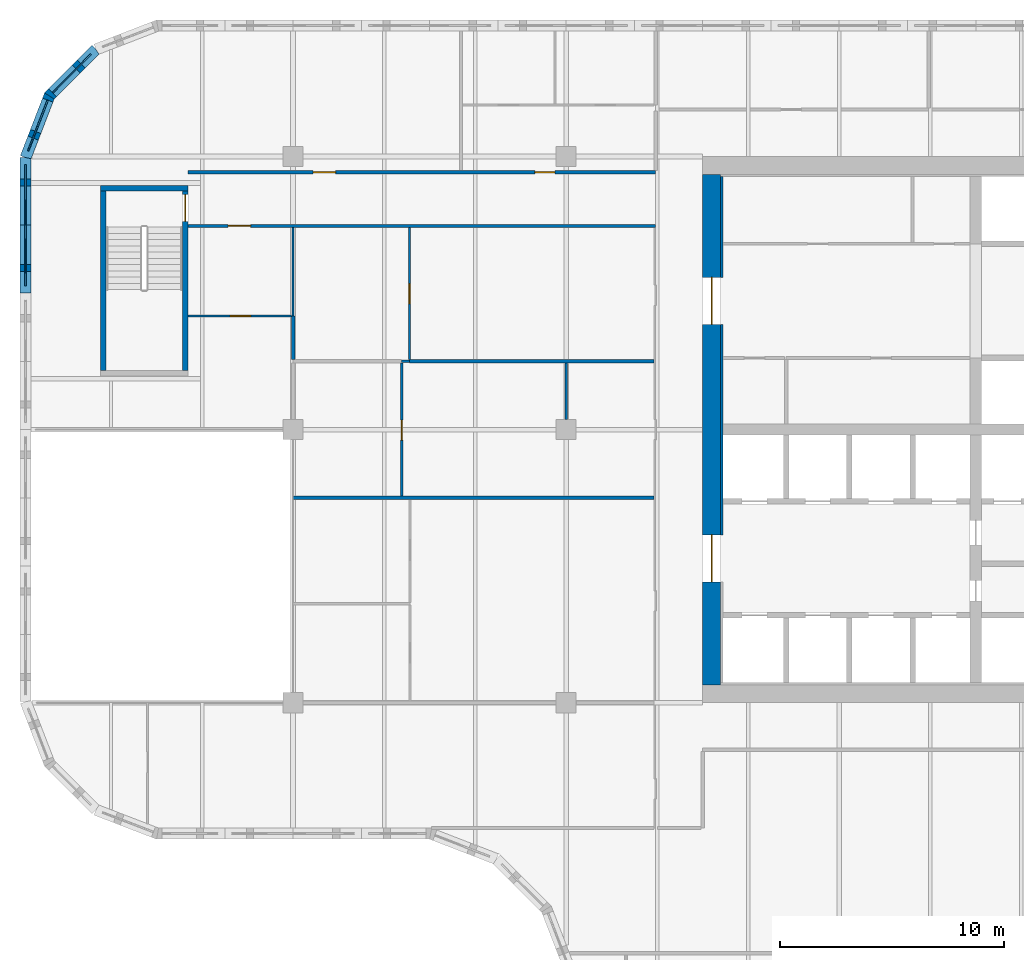
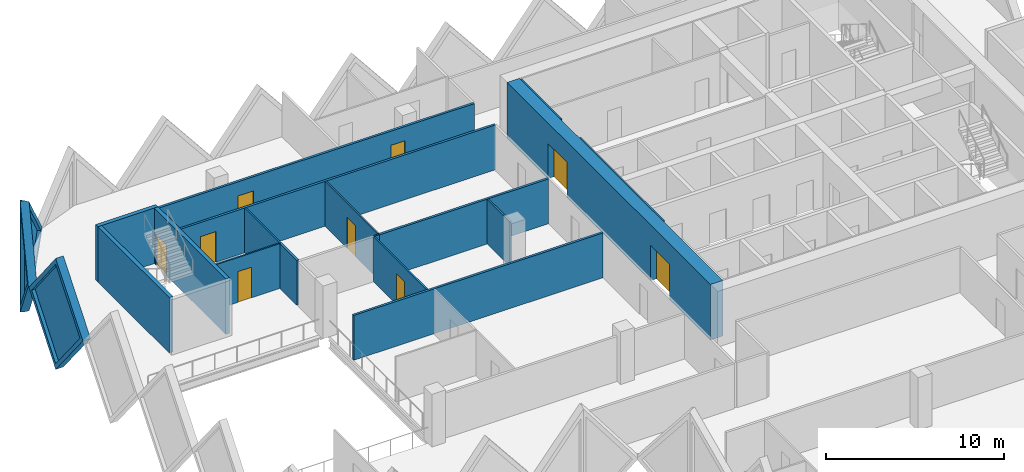
# One storey, part 8 of 19: 20 walls, 9 doors, 3 plates, 12 openings.
"""IFC4 building model written with IfcOpenShell, lengths in metres."""

from ifc_helpers import new_model, si_unit, direction, frame, frame_2d, origin, place, context, subcontext, project, spatial, polyline, rectangle, outline, extrude, faceted_brep, source, transform, mapped, material, layer, layer_set, type_object, element, fill, save


model = new_model("IFC4")

# Units and contexts
model_context = context("Model", 3, precision=1e-05, world=origin(), true_north=direction((0.0, 1.0)))
body_context = subcontext(model_context, "Body", "Model", "MODEL_VIEW")
ifc_project = project(units=[si_unit("LENGTHUNIT", "METRE"), si_unit("AREAUNIT", "SQUARE_METRE"), si_unit("VOLUMEUNIT", "CUBIC_METRE"), si_unit("PLANEANGLEUNIT", "RADIAN"), si_unit("MASSUNIT", "GRAM", prefix="KILO")], contexts=[model_context])

# Site, building, storey
site_placement = place(None, origin())
site = spatial("IfcSite", under=ifc_project, at=site_placement, CompositionType="ELEMENT")
building_placement = place(site_placement, origin())
building = spatial("IfcBuilding", under=site, at=building_placement, Name="Tessera Gate Towers", CompositionType="ELEMENT")
storey_placement = place(building_placement, frame((0.0, 0.0, 76.199951171875)))
storey = spatial("IfcBuildingStorey", under=building, at=storey_placement, Name="L18", CompositionType="ELEMENT", Elevation=76.199951171875)

# Walls
ifc_material_1 = material(Name="Concrete C40/50", Category="concrete")
ifc_layer_1 = layer(ifc_material_1, 0.25)
ifc_layer_set_1 = layer_set([ifc_layer_1], Name="CORE ENCLOSURE WALL 250")
wall_type_1 = type_object("IfcWallType", Name="CORE ENCLOSURE WALL 250", PredefinedType="SOLIDWALL", material=ifc_layer_set_1)
wall_1_placement = place(storey_placement, frame((3.72509765625, 39.25, 0.0), z_axis=(0.0, 0.0, 1.0), x_axis=(0.0, 1.0, 0.0)))
element("IfcWall", 1, at=wall_1_placement, inside=storey, type_object=wall_type_1, Name="L18 ST3 enclosure wall", PredefinedType="SOLIDWALL", context=body_context, shape_type="SweptSolid", body=[
    extrude(rectangle(XDim=8.0, YDim=0.25, at=frame_2d((4.0, 0.0))), origin(), (0.0, 0.0, 1.0), 3.800048828125),
])
wall_2_placement = place(storey_placement, frame((3.60009765625, 47.375, 0.0), z_axis=(0.0, 0.0, 1.0), x_axis=(1.0, 0.0, 0.0)))
element("IfcWall", 2, at=wall_2_placement, inside=storey, type_object=wall_type_1, Name="L18 ST3 enclosure wall", PredefinedType="SOLIDWALL", context=body_context, shape_type="SweptSolid", body=[
    extrude(rectangle(XDim=3.89990234375, YDim=0.25, at=frame_2d((1.949951171875, 0.0))), origin(), (0.0, 0.0, 1.0), 3.800048828125),
])

# Wall, opening, door
wall_3_placement = place(storey_placement, frame((7.375, 47.25, 0.0), z_axis=(0.0, 0.0, 1.0), x_axis=(0.0, -1.0, 0.0)))
wall_3 = element("IfcWall", 3, at=wall_3_placement, inside=storey, type_object=wall_type_1, Name="L18 ST3 enclosure wall", PredefinedType="SOLIDWALL", context=body_context, shape_type="SweptSolid", body=[
    extrude(rectangle(XDim=8.0, YDim=0.25, at=frame_2d((4.0, 0.0))), origin(), (0.0, 0.0, 1.0), 3.800048828125),
])
shared_shape_1 = source(origin(), body_context, "Body", "SweptSolid", [
    extrude(rectangle(XDim=1.199951171875, YDim=2.10009765625, at=frame_2d((0.60009765625, 1.050048828125))), frame((0.0, 0.135009765625, 0.0), z_axis=(0.0, -1.0, 0.0), x_axis=(1.0, 0.0, 0.0)), (0.0, 0.0, 1.0), 0.27001953125),
])
opening_1_placement = place(wall_3_placement, frame((0.14990234375, 0.0, 0.0)))
opening_1 = element("IfcOpeningElement", 4, at=opening_1_placement, cuts=wall_3, Name="Opening SD-ST3-1", PredefinedType="OPENING", context=body_context, shape_type="MappedRepresentation", body=[
    mapped(shared_shape_1, transform((0.0, 0.0, 0.0), scale=1.0)),
])
ifc_material_2 = material(Name="Hollow steel fire door", Category="steel")
door_type_1 = type_object("IfcDoorType", Name="CORE DOOR SD 1200x2100", OperationType="NOTDEFINED", PredefinedType="DOOR", material=ifc_material_2)
shared_shape_2 = source(origin(), body_context, "Body", "SweptSolid", [
    extrude(rectangle(XDim=1.199951171875, YDim=2.10009765625, at=frame_2d((0.60009765625, 1.050048828125))), frame((0.0, 0.02490234375, 0.0), z_axis=(0.0, -1.0, 0.0), x_axis=(1.0, 0.0, 0.0)), (0.0, 0.0, 1.0), 0.050048828125),
])
door_1_placement = place(opening_1_placement, origin())
door_1 = element("IfcDoor", 5, at=door_1_placement, inside=storey, type_object=door_type_1, Name="Stair door", OperationType="SINGLE_SWING_LEFT", OverallHeight=2.10009765625, OverallWidth=1.199951171875, PredefinedType="DOOR", context=body_context, shape_type="MappedRepresentation", body=[
    mapped(shared_shape_2, transform((0.0, 0.0, 0.0), scale=1.0)),
])
fill(opening_1, door_1)

# Wall, openings, doors
ifc_material_3 = material(Name="Concrete C60/75", Category="concrete")
ifc_layer_2 = layer(ifc_material_3, 0.800048828125)
ifc_layer_set_2 = layer_set([ifc_layer_2], Name="CORE SHEAR WALL 800 C60/75")
wall_type_2 = type_object("IfcWallType", Name="CORE SHEAR WALL 800 C60/75", PredefinedType="SHEAR", material=ifc_layer_set_2)
wall_4_placement = place(storey_placement, frame((30.89990234375, 25.199951171875, 0.0), z_axis=(0.0, 0.0, 1.0), x_axis=(0.0, 1.0, 0.0)))
wall_4 = element("IfcWall", 6, at=wall_4_placement, inside=storey, type_object=wall_type_2, Name="Core wall W L18", PredefinedType="SHEAR", context=body_context, shape_type="SweptSolid", body=[
    extrude(rectangle(XDim=22.800048828125, YDim=0.800048828125, at=frame_2d((11.39990234375, 0.0))), origin(), (0.0, 0.0, 1.0), 3.800048828125),
])
shared_shape_3 = source(origin(), body_context, "Body", "SweptSolid", [
    extrude(rectangle(XDim=2.10009765625, YDim=2.39990234375, at=frame_2d((1.050048828125, 1.199951171875))), frame((0.0, 0.409912109375, 0.0), z_axis=(0.0, -1.0, 0.0), x_axis=(1.0, 0.0, 0.0)), (0.0, 0.0, 1.0), 0.820068359375),
])
opening_2_placement = place(wall_4_placement, frame((4.60009765625, 0.0, 0.0)))
opening_2 = element("IfcOpeningElement", 7, at=opening_2_placement, cuts=wall_4, Name="Opening DD-T1-13-02", PredefinedType="OPENING", context=body_context, shape_type="MappedRepresentation", body=[
    mapped(shared_shape_3, transform((0.0, 0.0, 0.0), scale=1.0)),
])
opening_3_placement = place(wall_4_placement, frame((16.10009765625, 0.0, 0.0)))
opening_3 = element("IfcOpeningElement", 8, at=opening_3_placement, cuts=wall_4, Name="Opening DD-T1-13-03", PredefinedType="OPENING", context=body_context, shape_type="MappedRepresentation", body=[
    mapped(shared_shape_3, transform((0.0, 0.0, 0.0), scale=1.0)),
])
ifc_material_4 = material(Name="Hollow steel fire door", Category="steel")
door_type_2 = type_object("IfcDoorType", Name="CORE DOOR DD 2100x2400", OperationType="NOTDEFINED", PredefinedType="DOOR", material=ifc_material_4)
shared_shape_4 = source(origin(), body_context, "Body", "SweptSolid", [
    extrude(rectangle(XDim=2.10009765625, YDim=2.39990234375, at=frame_2d((1.050048828125, 1.199951171875))), frame((0.0, 0.02490234375, 0.0), z_axis=(0.0, -1.0, 0.0), x_axis=(1.0, 0.0, 0.0)), (0.0, 0.0, 1.0), 0.050048828125),
])
door_2_placement = place(opening_2_placement, origin())
door_2 = element("IfcDoor", 9, at=door_2_placement, inside=storey, type_object=door_type_2, Name="Core entrance door", OperationType="DOUBLE_DOOR_SINGLE_SWING", OverallHeight=2.39990234375, OverallWidth=2.10009765625, PredefinedType="DOOR", context=body_context, shape_type="MappedRepresentation", body=[
    mapped(shared_shape_4, transform((0.0, 0.0, 0.0), scale=1.0)),
])
fill(opening_2, door_2)
door_3_placement = place(opening_3_placement, origin())
door_3 = element("IfcDoor", 10, at=door_3_placement, inside=storey, type_object=door_type_2, Name="Core entrance door", OperationType="DOUBLE_DOOR_SINGLE_SWING", OverallHeight=2.39990234375, OverallWidth=2.10009765625, PredefinedType="DOOR", context=body_context, shape_type="MappedRepresentation", body=[
    mapped(shared_shape_4, transform((0.0, 0.0, 0.0), scale=1.0)),
])
fill(opening_3, door_3)

# Walls
ifc_material_5 = material(Name="Concrete C60/75", Category="concrete")
ifc_layer_3 = layer(ifc_material_5, 0.10009765625)
ifc_layer_set_3 = layer_set([ifc_layer_3], Name="CORE WALL THICKENING 100")
wall_type_3 = type_object("IfcWallType", Name="CORE WALL THICKENING 100", PredefinedType="SOLIDWALL", material=ifc_layer_set_3)
wall_5_placement = place(storey_placement, frame((31.35009765625, 31.89990234375, 0.0), z_axis=(0.0, 0.0, 1.0), x_axis=(0.0, 1.0, 0.0)))
element("IfcWall", 11, at=wall_5_placement, inside=storey, type_object=wall_type_3, Name="Core wall thickening W L18", PredefinedType="SOLIDWALL", context=body_context, shape_type="SweptSolid", body=[
    extrude(rectangle(XDim=9.400146484375, YDim=0.10009765625, at=frame_2d((4.7001953125, 0.0))), origin(), (0.0, 0.0, 1.0), 3.800048828125),
])
wall_6_placement = place(storey_placement, frame((31.35009765625, 43.39990234375, 0.0), z_axis=(0.0, 0.0, 1.0), x_axis=(0.0, 1.0, 0.0)))
element("IfcWall", 12, at=wall_6_placement, inside=storey, type_object=wall_type_3, Name="Core wall thickening W L18", PredefinedType="SOLIDWALL", context=body_context, shape_type="SweptSolid", body=[
    extrude(rectangle(XDim=4.5, YDim=0.10009765625, at=frame_2d((2.25, 0.0))), origin(), (0.0, 0.0, 1.0), 3.800048828125),
])

# Wall, opening, door
ifc_material_6 = material(Name="Gypsum board on steel studs, mineral wool", Category="steel")
ifc_layer_4 = layer(ifc_material_6, 0.14990234375)
ifc_layer_set_4 = layer_set([ifc_layer_4], Name="CORRIDOR WALL 150")
wall_type_4 = type_object("IfcWallType", Name="CORRIDOR WALL 150", PredefinedType="PARTITIONING", material=ifc_layer_set_4)
wall_7_placement = place(storey_placement, frame((28.39990234375, 45.699951171875, 0.0), z_axis=(0.0, 0.0, 1.0), x_axis=(-1.0, 0.0, 0.0)))
wall_7 = element("IfcWall", 13, at=wall_7_placement, inside=storey, type_object=wall_type_4, Name="T1-L18-PW-042", PredefinedType="PARTITIONING", context=body_context, shape_type="SweptSolid", body=[
    extrude(rectangle(XDim=20.89990234375, YDim=0.14990234375, at=frame_2d((10.449951171875, 0.0))), origin(), (0.0, 0.0, 1.0), 3.067138671875),
])
shared_shape_5 = source(origin(), body_context, "Body", "SweptSolid", [
    extrude(rectangle(XDim=1.0, YDim=2.10009765625, at=frame_2d((0.5, 1.050048828125))), frame((0.0, 0.0849609375, 0.0), z_axis=(0.0, -1.0, 0.0), x_axis=(1.0, 0.0, 0.0)), (0.0, 0.0, 1.0), 0.169921875),
])
opening_4_placement = place(wall_7_placement, frame((18.10009765625, 0.0, 0.0)))
opening_4 = element("IfcOpeningElement", 14, at=opening_4_placement, cuts=wall_7, Name="Opening D2100FD60-A06-01", PredefinedType="OPENING", context=body_context, shape_type="MappedRepresentation", body=[
    mapped(shared_shape_5, transform((0.0, 0.0, 0.0), scale=1.0)),
])
ifc_material_7 = material(Name="Timber door leaf in steel frame", Category="steel")
door_type_3 = type_object("IfcDoorType", Name="TENANCY ENTRANCE DOOR 1000 FD60", OperationType="NOTDEFINED", PredefinedType="DOOR", material=ifc_material_7)
shared_shape_6 = source(origin(), body_context, "Body", "SweptSolid", [
    extrude(rectangle(XDim=1.0, YDim=2.10009765625, at=frame_2d((0.5, 1.050048828125))), frame((0.0, 0.02490234375, 0.0), z_axis=(0.0, -1.0, 0.0), x_axis=(1.0, 0.0, 0.0)), (0.0, 0.0, 1.0), 0.050048828125),
])
door_4_placement = place(opening_4_placement, origin())
door_4 = element("IfcDoor", 15, at=door_4_placement, inside=storey, type_object=door_type_3, Name="T1-L18-PD-010", OperationType="SINGLE_SWING_RIGHT", OverallHeight=2.10009765625, OverallWidth=1.0, PredefinedType="DOOR", context=body_context, shape_type="MappedRepresentation", body=[
    mapped(shared_shape_6, transform((0.0, 0.0, 0.0), scale=1.0)),
])
fill(opening_4, door_4)

# Wall, openings, doors
wall_8_placement = place(storey_placement, frame((7.5, 48.10009765625, 0.0), z_axis=(0.0, 0.0, 1.0), x_axis=(1.0, 0.0, 0.0)))
wall_8 = element("IfcWall", 16, at=wall_8_placement, inside=storey, type_object=wall_type_4, Name="T1-L18-PW-043", PredefinedType="PARTITIONING", context=body_context, shape_type="SweptSolid", body=[
    extrude(rectangle(XDim=20.89990234375, YDim=0.14990234375, at=frame_2d((10.449951171875, 0.0))), origin(), (0.0, 0.0, 1.0), 3.067138671875),
])
shared_shape_7 = source(origin(), body_context, "Body", "SweptSolid", [
    extrude(rectangle(XDim=0.89990234375, YDim=2.10009765625, at=frame_2d((0.449951171875, 1.050048828125))), frame((0.0, 0.0849609375, 0.0), z_axis=(0.0, -1.0, 0.0), x_axis=(1.0, 0.0, 0.0)), (0.0, 0.0, 1.0), 0.169921875),
])
opening_5_placement = place(wall_8_placement, frame((15.5009765625, 0.0, 0.0)))
opening_5 = element("IfcOpeningElement", 17, at=opening_5_placement, cuts=wall_8, Name="Opening D890FD60-A06-06", PredefinedType="OPENING", context=body_context, shape_type="MappedRepresentation", body=[
    mapped(shared_shape_7, transform((0.0, 0.0, 0.0), scale=1.0)),
])
opening_6_placement = place(wall_8_placement, frame((5.60009765625, 0.0, 0.0)))
opening_6 = element("IfcOpeningElement", 18, at=opening_6_placement, cuts=wall_8, Name="Opening D2100FD60-A06-03", PredefinedType="OPENING", context=body_context, shape_type="MappedRepresentation", body=[
    mapped(shared_shape_5, transform((0.0, 0.0, 0.0), scale=1.0)),
])
ifc_material_8 = material(Name="Timber door leaf in steel frame", Category="steel")
door_type_4 = type_object("IfcDoorType", Name="CORRIDOR DOOR 900 FD60", OperationType="NOTDEFINED", PredefinedType="DOOR", material=ifc_material_8)
shared_shape_8 = source(origin(), body_context, "Body", "SweptSolid", [
    extrude(rectangle(XDim=0.89990234375, YDim=2.10009765625, at=frame_2d((0.449951171875, 1.050048828125))), frame((0.0, 0.02490234375, 0.0), z_axis=(0.0, -1.0, 0.0), x_axis=(1.0, 0.0, 0.0)), (0.0, 0.0, 1.0), 0.050048828125),
])
door_5_placement = place(opening_5_placement, origin())
door_5 = element("IfcDoor", 19, at=door_5_placement, inside=storey, type_object=door_type_4, Name="T1-L18-PD-020", OperationType="SINGLE_SWING_LEFT", OverallHeight=2.10009765625, OverallWidth=0.89990234375, PredefinedType="DOOR", context=body_context, shape_type="MappedRepresentation", body=[
    mapped(shared_shape_8, transform((0.0, 0.0, 0.0), scale=1.0)),
])
fill(opening_5, door_5)
door_6_placement = place(opening_6_placement, origin())
door_6 = element("IfcDoor", 20, at=door_6_placement, inside=storey, type_object=door_type_3, Name="T1-L18-PD-026", OperationType="SINGLE_SWING_LEFT", OverallHeight=2.10009765625, OverallWidth=1.0, PredefinedType="DOOR", context=body_context, shape_type="MappedRepresentation", body=[
    mapped(shared_shape_6, transform((0.0, 0.0, 0.0), scale=1.0)),
])
fill(opening_6, door_6)

# Wall
ifc_material_9 = material(Name="Glass", Category="glass")
ifc_layer_5 = layer(ifc_material_9, 0.10009765625)
ifc_layer_set_5 = layer_set([ifc_layer_5], Name="GLAZED PARTITION 100")
wall_type_5 = type_object("IfcWallType", Name="GLAZED PARTITION 100", PredefinedType="PARTITIONING", material=ifc_layer_set_5)
wall_9_placement = place(storey_placement, frame((17.051025390625, 39.64990234375, 0.0), z_axis=(0.0, 0.0, 1.0), x_axis=(1.0, 0.0, 0.0)))
element("IfcWall", 21, at=wall_9_placement, inside=storey, type_object=wall_type_5, Name="T1-L18-PW-036", PredefinedType="PARTITIONING", context=body_context, shape_type="SweptSolid", body=[
    extrude(rectangle(XDim=0.347900390625, YDim=0.10009765625, at=frame_2d((0.173828125, 0.0))), origin(), (0.0, 0.0, 1.0), 3.067138671875),
])

# Wall, opening, door
wall_10_placement = place(storey_placement, frame((17.39990234375, 39.72607421875, 0.0), z_axis=(0.0, 0.0, 1.0), x_axis=(0.0, 1.0, 0.0)))
wall_10 = element("IfcWall", 22, at=wall_10_placement, inside=storey, type_object=wall_type_5, Name="T1-L18-PW-039", PredefinedType="PARTITIONING", context=body_context, shape_type="SweptSolid", body=[
    extrude(rectangle(XDim=5.89794921875, YDim=0.10009765625, at=frame_2d((2.948974609375, 0.0))), origin(), (0.0, 0.0, 1.0), 3.067138671875),
])
shared_shape_9 = source(origin(), body_context, "Body", "SweptSolid", [
    extrude(rectangle(XDim=0.89990234375, YDim=2.10009765625, at=frame_2d((0.449951171875, 1.050048828125))), frame((0.0, 0.06005859375, 0.0), z_axis=(0.0, -1.0, 0.0), x_axis=(1.0, 0.0, 0.0)), (0.0, 0.0, 1.0), 0.1201171875),
])
opening_7_placement = place(wall_10_placement, frame((2.5, 0.0, 0.0)))
opening_7 = element("IfcOpeningElement", 23, at=opening_7_placement, cuts=wall_10, Name="Opening D690-A06-06", PredefinedType="OPENING", context=body_context, shape_type="MappedRepresentation", body=[
    mapped(shared_shape_9, transform((0.0, 0.0, 0.0), scale=1.0)),
])
ifc_material_10 = material(Name="Glass in aluminium frame", Category="aluminium")
door_type_5 = type_object("IfcDoorType", Name="GLAZED DOOR 900 NOT RATED", OperationType="NOTDEFINED", PredefinedType="DOOR", material=ifc_material_10)
door_7_placement = place(opening_7_placement, origin())
door_7 = element("IfcDoor", 24, at=door_7_placement, inside=storey, type_object=door_type_5, Name="T1-L18-PD-015", OperationType="SINGLE_SWING_LEFT", OverallHeight=2.10009765625, OverallWidth=0.89990234375, PredefinedType="DOOR", context=body_context, shape_type="MappedRepresentation", body=[
    mapped(shared_shape_8, transform((0.0, 0.0, 0.0), scale=1.0)),
])
fill(opening_7, door_7)

wall_11_placement = place(storey_placement, frame((12.1240234375, 41.675048828125, 0.0), z_axis=(0.0, 0.0, 1.0), x_axis=(-1.0, 0.0, 0.0)))
wall_11 = element("IfcWall", 25, at=wall_11_placement, inside=storey, type_object=wall_type_5, Name="T1-L18-PW-040", PredefinedType="PARTITIONING", context=body_context, shape_type="SweptSolid", body=[
    extrude(rectangle(XDim=4.6240234375, YDim=0.10009765625, at=frame_2d((2.31201171875, 0.0))), origin(), (0.0, 0.0, 1.0), 3.067138671875),
])
opening_8_placement = place(wall_11_placement, frame((1.823974609375, 0.0, 0.0)))
opening_8 = element("IfcOpeningElement", 26, at=opening_8_placement, cuts=wall_11, Name="Opening D690-A06-03", PredefinedType="OPENING", context=body_context, shape_type="MappedRepresentation", body=[
    mapped(shared_shape_9, transform((0.0, 0.0, 0.0), scale=1.0)),
])
door_8_placement = place(opening_8_placement, origin())
door_8 = element("IfcDoor", 27, at=door_8_placement, inside=storey, type_object=door_type_5, Name="T1-L18-PD-009", OperationType="SINGLE_SWING_RIGHT", OverallHeight=2.10009765625, OverallWidth=0.89990234375, PredefinedType="DOOR", context=body_context, shape_type="MappedRepresentation", body=[
    mapped(shared_shape_8, transform((0.0, 0.0, 0.0), scale=1.0)),
])
fill(opening_8, door_8)

# Wall
wall_12_placement = place(storey_placement, frame((12.199951171875, 41.676025390625, 0.0), z_axis=(0.0, 0.0, 1.0), x_axis=(0.0, 1.0, 0.0)))
element("IfcWall", 28, at=wall_12_placement, inside=storey, type_object=wall_type_5, Name="T1-L18-PW-041", PredefinedType="PARTITIONING", context=body_context, shape_type="SweptSolid", body=[
    extrude(rectangle(XDim=3.947998046875, YDim=0.10009765625, at=frame_2d((1.97412109375, 0.0))), origin(), (0.0, 0.0, 1.0), 3.067138671875),
])

# Wall, opening, door
ifc_material_11 = material(Name="Gypsum board on steel studs", Category="steel")
ifc_layer_6 = layer(ifc_material_11, 0.10009765625)
ifc_layer_set_6 = layer_set([ifc_layer_6], Name="PARTITION 100")
wall_type_6 = type_object("IfcWallType", Name="PARTITION 100", PredefinedType="PARTITIONING", material=ifc_layer_set_6)
wall_13_placement = place(storey_placement, frame((17.050048828125, 33.6259765625, 0.0), z_axis=(0.0, 0.0, 1.0), x_axis=(0.0, 1.0, 0.0)))
wall_13 = element("IfcWall", 29, at=wall_13_placement, inside=storey, type_object=wall_type_6, Name="T1-L18-PW-032", PredefinedType="PARTITIONING", context=body_context, shape_type="SweptSolid", body=[
    extrude(rectangle(XDim=5.947998046875, YDim=0.10009765625, at=frame_2d((2.97412109375, 0.0))), origin(), (0.0, 0.0, 1.0), 3.067138671875),
])
opening_9_placement = place(wall_13_placement, frame((2.5, 0.0, 0.0)))
opening_9 = element("IfcOpeningElement", 30, at=opening_9_placement, cuts=wall_13, Name="Opening D190-A06-07", PredefinedType="OPENING", context=body_context, shape_type="MappedRepresentation", body=[
    mapped(shared_shape_9, transform((0.0, 0.0, 0.0), scale=1.0)),
])
ifc_material_12 = material(Name="Timber door leaf in steel frame", Category="steel")
door_type_6 = type_object("IfcDoorType", Name="INTERNAL DOOR 900 NOT RATED", OperationType="NOTDEFINED", PredefinedType="DOOR", material=ifc_material_12)
door_9_placement = place(opening_9_placement, origin())
door_9 = element("IfcDoor", 31, at=door_9_placement, inside=storey, type_object=door_type_6, Name="T1-L18-PD-016", OperationType="SINGLE_SWING_LEFT", OverallHeight=2.10009765625, OverallWidth=0.89990234375, PredefinedType="DOOR", context=body_context, shape_type="MappedRepresentation", body=[
    mapped(shared_shape_8, transform((0.0, 0.0, 0.0), scale=1.0)),
])
fill(opening_9, door_9)

# Walls
wall_14_placement = place(storey_placement, frame((24.39990234375, 37.050048828125, 0.0), z_axis=(0.0, 0.0, 1.0), x_axis=(0.0, 1.0, 0.0)))
element("IfcWall", 32, at=wall_14_placement, inside=storey, type_object=wall_type_6, Name="T1-L18-PW-034", PredefinedType="PARTITIONING", context=body_context, shape_type="SweptSolid", body=[
    extrude(rectangle(XDim=2.52490234375, YDim=0.10009765625, at=frame_2d((1.262451171875, 0.0))), origin(), (0.0, 0.0, 1.0), 3.067138671875),
])
ifc_material_13 = material(Name="Gypsum board on steel studs, mineral wool", Category="steel")
ifc_layer_7 = layer(ifc_material_13, 0.14990234375)
ifc_layer_set_7 = layer_set([ifc_layer_7], Name="TENANCY WALL 150")
wall_type_7 = type_object("IfcWallType", Name="TENANCY WALL 150", PredefinedType="PARTITIONING", material=ifc_layer_set_7)
wall_15_placement = place(storey_placement, frame((12.199951171875, 33.550048828125, 0.0), z_axis=(0.0, 0.0, 1.0), x_axis=(1.0, 0.0, 0.0)))
element("IfcWall", 33, at=wall_15_placement, inside=storey, type_object=wall_type_7, Name="T1-L18-PW-031", PredefinedType="PARTITIONING", context=body_context, shape_type="SweptSolid", body=[
    extrude(rectangle(XDim=16.1240234375, YDim=0.14990234375, at=frame_2d((8.06201171875, 0.0))), origin(), (0.0, 0.0, 1.0), 3.067138671875),
])
wall_16_placement = place(storey_placement, frame((17.39990234375, 39.64990234375, 0.0), z_axis=(0.0, 0.0, 1.0), x_axis=(1.0, 0.0, 0.0)))
element("IfcWall", 34, at=wall_16_placement, inside=storey, type_object=wall_type_7, Name="T1-L18-PW-037", PredefinedType="PARTITIONING", context=body_context, shape_type="SweptSolid", body=[
    extrude(rectangle(XDim=10.924072265625, YDim=0.14990234375, at=frame_2d((5.4619140625, 0.0))), origin(), (0.0, 0.0, 1.0), 3.067138671875),
])
wall_17_placement = place(storey_placement, frame((12.199951171875, 39.72607421875, 0.0), z_axis=(0.0, 0.0, 1.0), x_axis=(0.0, 1.0, 0.0)))
element("IfcWall", 35, at=wall_17_placement, inside=storey, type_object=wall_type_7, Name="T1-L18-PW-038", PredefinedType="PARTITIONING", context=body_context, shape_type="SweptSolid", body=[
    extrude(rectangle(XDim=1.948974609375, YDim=0.14990234375, at=frame_2d((0.974609375, 0.0))), origin(), (0.0, 0.0, 1.0), 3.067138671875),
])

# Wall, opening, plate
ifc_material_14 = material(Name="Precast concrete C60/75 white", Category="concrete")
ifc_layer_8 = layer(ifc_material_14, 0.5)
ifc_layer_set_8 = layer_set([ifc_layer_8], Name="TS1 tessera")
wall_type_8 = type_object("IfcWallType", Name="TS1 tessera", PredefinedType="SOLIDWALL", material=ifc_layer_set_8)
shared_shape_10 = source(origin(), body_context, "Body", "Brep", [
    faceted_brep([(3.00341796875, -0.25, 0.0), (6.053466796875, -0.25, 3.800048828125), (3.00341796875, -0.25, 7.60009765625), (0.0, -0.25, 3.800048828125), (0.046630859375, 0.25, 3.85888671875), (3.00341796875, 0.25, 7.60009765625), (6.053466796875, 0.25, 3.800048828125), (3.00341796875, 0.25, 0.0), (0.046630859375, 0.25, 3.7412109375), (0.0, 0.0, 3.800048828125)], [[[0, 1, 2, 3]], [[4, 5, 6, 7, 8]], [[7, 6, 1, 0]], [[6, 5, 2, 1]], [[5, 4, 9, 3, 2]], [[8, 7, 0, 3, 9]], [[8, 9, 4]]]),
])
wall_18_placement = place(storey_placement, frame((0.25, 48.75341796875, -3.800048828125), z_axis=(0.0, 0.0, 1.0), x_axis=(0.0, -1.0, 0.0)))
wall_18 = element("IfcWall", 36, at=wall_18_placement, inside=storey, type_object=wall_type_8, Name="Precast tessera T1 TS1-0270", PredefinedType="SOLIDWALL", context=body_context, shape_type="MappedRepresentation", body=[
    mapped(shared_shape_10, transform((0.0, 0.0, 0.0), scale=1.0)),
])
shared_shape_11 = source(origin(), body_context, "Body", "SweptSolid", [
    extrude(outline(polyline([(3.0048828125, 0.4013671875), (5.73291015625, 3.800048828125), (3.0048828125, 7.19873046875), (0.318603515625, 3.800048828125), (3.0048828125, 0.4013671875)])), frame((0.0, 0.260009765625, 0.0), z_axis=(0.0, -1.0, 0.0), x_axis=(1.0, 0.0, 0.0)), (0.0, 0.0, 1.0), 0.52001953125),
])
opening_10_placement = place(wall_18_placement, origin())
opening_10 = element("IfcOpeningElement", 37, at=opening_10_placement, cuts=wall_18, Name="Opening T1-PL2-0548", PredefinedType="OPENING", context=body_context, shape_type="MappedRepresentation", body=[
    mapped(shared_shape_11, transform((0.0, 0.0, 0.0), scale=1.0)),
])
ifc_material_15 = material(Name="Low-e laminated glass", Category="glass")
ifc_layer_9 = layer(ifc_material_15, 0.06005859375)
ifc_layer_set_9 = layer_set([ifc_layer_9], Name="PL2 rhombic pane")
plate_type = type_object("IfcPlateType", Name="PL2 rhombic pane", PredefinedType="SHEET", material=ifc_layer_set_9)
shared_shape_12 = source(origin(), body_context, "Body", "SweptSolid", [
    extrude(outline(polyline([(3.0048828125, 0.4013671875), (5.73291015625, 3.800048828125), (3.0048828125, 7.19873046875), (0.318603515625, 3.800048828125), (3.0048828125, 0.4013671875)])), frame((0.0, 0.030029296875, 0.0), z_axis=(0.0, -1.0, 0.0), x_axis=(1.0, 0.0, 0.0)), (0.0, 0.0, 1.0), 0.06005859375),
])
plate_1_placement = place(opening_10_placement, origin())
plate_1 = element("IfcPlate", 38, at=plate_1_placement, inside=storey, type_object=plate_type, Name="Glass pane T1 PL2-0548", PredefinedType="SHEET", context=body_context, shape_type="MappedRepresentation", body=[
    mapped(shared_shape_12, transform((0.0, 0.0, 0.0), scale=1.0)),
])
fill(opening_10, plate_1)

ifc_material_16 = material(Name="Precast concrete C60/75 white", Category="concrete")
ifc_layer_10 = layer(ifc_material_16, 0.5)
ifc_layer_set_10 = layer_set([ifc_layer_10], Name="TS3 corner tessera")
wall_type_9 = type_object("IfcWallType", Name="TS3 corner tessera", PredefinedType="SOLIDWALL", material=ifc_layer_set_10)
shared_shape_13 = source(origin(), body_context, "Body", "Brep", [
    faceted_brep([(0.052978515625, -0.25, 0.0), (3.00341796875, -0.25, 3.800048828125), (0.052978515625, -0.25, 7.60009765625), (0.0, -0.25, 7.53173828125), (0.0, -0.25, 0.068359375), (0.10595703125, 0.25, 7.531982421875), (2.95703125, 0.25, 3.85986328125), (2.95703125, 0.25, 3.740234375), (0.10595703125, 0.25, 0.068115234375), (3.00341796875, 0.00048828125, 3.800048828125), (0.052978515625, 0.0, 0.0), (0.052978515625, 0.0, 7.60009765625)], [[[0, 1, 2, 3, 4]], [[5, 6, 7, 8]], [[8, 7, 9, 1, 0, 10]], [[6, 5, 11, 2, 1, 9]], [[3, 2, 11]], [[10, 0, 4]], [[8, 10, 4, 3, 11, 5]], [[9, 7, 6]]]),
])
wall_19_placement = place(storey_placement, frame((1.3310546875, 51.5556640625, -3.800048828125), z_axis=(0.0, 0.0, 1.0), x_axis=(-0.35992665181, -0.932980602862, 0.0)))
wall_19 = element("IfcWall", 39, at=wall_19_placement, inside=storey, type_object=wall_type_9, Name="Precast corner tessera T1 TS3-0398", PredefinedType="SOLIDWALL", context=body_context, shape_type="MappedRepresentation", body=[
    mapped(shared_shape_13, transform((0.0, 0.0, 0.0), scale=1.0)),
])
shared_shape_14 = source(origin(), body_context, "Body", "SweptSolid", [
    extrude(outline(polyline([(0.2529296875, 0.665283203125), (2.68701171875, 3.800048828125), (0.2529296875, 6.934814453125), (0.2529296875, 0.665283203125)])), frame((0.0, 0.260009765625, 0.0), z_axis=(0.0, -1.0, 0.0), x_axis=(1.0, 0.0, 0.0)), (0.0, 0.0, 1.0), 0.52001953125),
])
opening_11_placement = place(wall_19_placement, origin())
opening_11 = element("IfcOpeningElement", 40, at=opening_11_placement, cuts=wall_19, Name="Opening T1-PL2-0547", PredefinedType="OPENING", context=body_context, shape_type="MappedRepresentation", body=[
    mapped(shared_shape_14, transform((0.0, 0.0, 0.0), scale=1.0)),
])
shared_shape_15 = source(origin(), body_context, "Body", "SweptSolid", [
    extrude(outline(polyline([(0.2529296875, 0.665283203125), (2.68701171875, 3.800048828125), (0.2529296875, 6.934814453125), (0.2529296875, 0.665283203125)])), frame((0.0, 0.030029296875, 0.0), z_axis=(0.0, -1.0, 0.0), x_axis=(1.0, 0.0, 0.0)), (0.0, 0.0, 1.0), 0.06005859375),
])
plate_2_placement = place(opening_11_placement, origin())
plate_2 = element("IfcPlate", 41, at=plate_2_placement, inside=storey, type_object=plate_type, Name="Glass pane T1 PL2-0547", PredefinedType="SHEET", context=body_context, shape_type="MappedRepresentation", body=[
    mapped(shared_shape_15, transform((0.0, 0.0, 0.0), scale=1.0)),
])
fill(opening_11, plate_2)

shared_shape_16 = source(origin(), body_context, "Body", "Brep", [
    faceted_brep([(2.944091796875, -0.25, 0.0), (2.9970703125, -0.25, 0.068115234375), (2.9970703125, -0.25, 7.531982421875), (2.944091796875, -0.25, 7.60009765625), (0.0, -0.25, 3.800048828125), (0.052978515625, 0.25, 3.868408203125), (2.89111328125, 0.25, 7.531982421875), (2.89111328125, 0.25, 0.068115234375), (0.052978515625, 0.25, 3.731689453125), (2.944091796875, 0.000244140625, 0.0), (2.944091796875, 0.000244140625, 7.60009765625), (0.0, 0.0, 3.800048828125)], [[[0, 1, 2, 3, 4]], [[5, 6, 7, 8]], [[1, 0, 9]], [[10, 3, 2]], [[6, 5, 11, 4, 3, 10]], [[8, 7, 9, 0, 4, 11]], [[8, 11, 5]], [[1, 9, 7, 6, 10, 2]]]),
])
wall_20_placement = place(storey_placement, frame((3.393798828125, 53.588134765625, -3.800048828125), z_axis=(0.0, 0.0, 1.0), x_axis=(-0.707106781187, -0.707106781187, 0.0)))
wall_20 = element("IfcWall", 42, at=wall_20_placement, inside=storey, type_object=wall_type_9, Name="Precast corner tessera T1 TS3-0397", PredefinedType="SOLIDWALL", context=body_context, shape_type="MappedRepresentation", body=[
    mapped(shared_shape_16, transform((0.0, 0.0, 0.0), scale=1.0)),
])
shared_shape_17 = source(origin(), body_context, "Body", "SweptSolid", [
    extrude(outline(polyline([(2.744140625, 6.933837890625), (0.316162109375, 3.800048828125), (2.744140625, 0.66650390625), (2.744140625, 6.933837890625)])), frame((0.0, 0.260009765625, 0.0), z_axis=(0.0, -1.0, 0.0), x_axis=(1.0, 0.0, 0.0)), (0.0, 0.0, 1.0), 0.52001953125),
])
opening_12_placement = place(wall_20_placement, origin())
opening_12 = element("IfcOpeningElement", 43, at=opening_12_placement, cuts=wall_20, Name="Opening T1-PL2-0546", PredefinedType="OPENING", context=body_context, shape_type="MappedRepresentation", body=[
    mapped(shared_shape_17, transform((0.0, 0.0, 0.0), scale=1.0)),
])
shared_shape_18 = source(origin(), body_context, "Body", "SweptSolid", [
    extrude(outline(polyline([(2.744140625, 6.933837890625), (0.316162109375, 3.800048828125), (2.744140625, 0.66650390625), (2.744140625, 6.933837890625)])), frame((0.0, 0.030029296875, 0.0), z_axis=(0.0, -1.0, 0.0), x_axis=(1.0, 0.0, 0.0)), (0.0, 0.0, 1.0), 0.06005859375),
])
plate_3_placement = place(opening_12_placement, origin())
plate_3 = element("IfcPlate", 44, at=plate_3_placement, inside=storey, type_object=plate_type, Name="Glass pane T1 PL2-0546", PredefinedType="SHEET", context=body_context, shape_type="MappedRepresentation", body=[
    mapped(shared_shape_18, transform((0.0, 0.0, 0.0), scale=1.0)),
])
fill(opening_12, plate_3)

save(model, "model.ifc")
